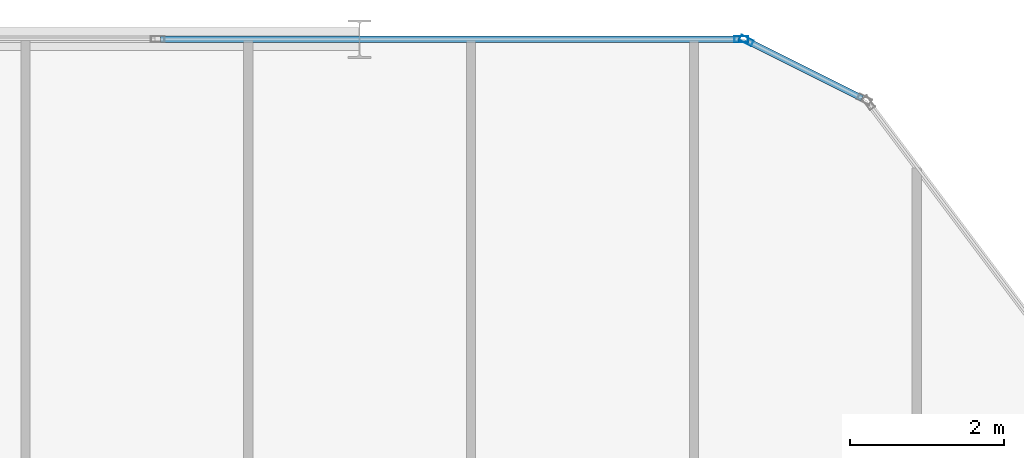
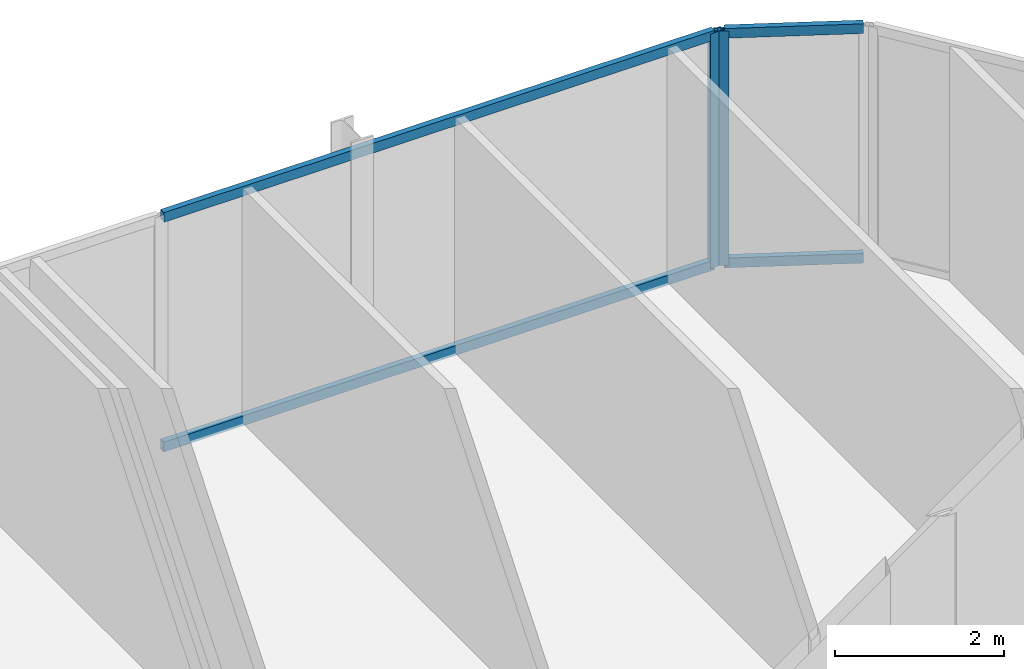
# One storey, part 21 of 31: 6 members, 2 elements without a shape of their own.
"""IFC4 building model written with IfcOpenShell, lengths in metres."""

from ifc_helpers import new_model, si_unit, direction, frame, origin, origin_2d, place, context, subcontext, project, spatial, hollow_rectangle, extrude, material, layer, layer_set, material_profile, profile_set, type_object, element, aggregate, save


model = new_model("IFC4")

# Units and contexts
model_context = context("Model", 3, precision=1e-05, world=origin(), true_north=direction((0.0, 1.0)))
body_context = subcontext(model_context, "Body", "Model", "MODEL_VIEW")
ifc_project = project(units=[si_unit("LENGTHUNIT", "METRE"), si_unit("AREAUNIT", "SQUARE_METRE"), si_unit("VOLUMEUNIT", "CUBIC_METRE"), si_unit("PLANEANGLEUNIT", "RADIAN"), si_unit("MASSUNIT", "GRAM", prefix="KILO")], contexts=[model_context])

# Site, building, storey
site_placement = place(None, origin())
site = spatial("IfcSite", under=ifc_project, at=site_placement, CompositionType="ELEMENT")
building_placement = place(site_placement, origin())
building = spatial("IfcBuilding", under=site, at=building_placement, Name="Keshet Zoharim Tower", CompositionType="ELEMENT")
storey_placement = place(building_placement, frame((0.0, 0.0, 129.800048828125)))
storey = spatial("IfcBuildingStorey", under=building, at=storey_placement, Name="L31", CompositionType="ELEMENT", Elevation=129.800048828125)

# Curtain wall, member
ifc_material = material(Name="Aluminium 6063-T6", Category="aluminium")
ifc_layer = layer(ifc_material, 0.159912109375)
ifc_layer_set = layer_set([ifc_layer], Name="Aluminium 6063-T6")
curtain_wall_type = type_object("IfcCurtainWallType", Name="CW-SYS-03", PredefinedType="NOTDEFINED", material=ifc_layer_set)
curtain_wall_1_placement = place(storey_placement, origin())
curtain_wall_1 = element("IfcCurtainWall", 1, at=curtain_wall_1_placement, inside=storey, type_object=curtain_wall_type, Name="L31 Unitised Curtain Wall 13 Part 5", PredefinedType="NOTDEFINED")
ifc_material_profile_1 = material_profile(ifc_material, hollow_rectangle(XDim=0.080078125, YDim=0.179931640625, WallThickness=0.00439453125, at=origin_2d()), Name="MUL-80x180")
ifc_profile_set_1 = profile_set([ifc_material_profile_1], Name="Aluminium 6063-T6")
member_type_1 = type_object("IfcMemberType", Name="CWM-M18", PredefinedType="MULLION", material=ifc_profile_set_1)
member_1_placement = place(storey_placement, frame((49.965087890625, 53.89990234375, 0.0), z_axis=(0.0, 0.0, 1.0), x_axis=(0.0, 1.0, 0.0)))
member_1 = element("IfcMember", 2, at=member_1_placement, type_object=member_type_1, Name="CW-03 mullion 3", PredefinedType="MULLION", context=body_context, shape_type="SweptSolid", body=[
    extrude(hollow_rectangle(XDim=0.080078125, YDim=0.179931640625, WallThickness=0.00439453125, at=origin_2d()), origin(), (0.0, 0.0, 1.0), 3.385009765625),
])

curtain_wall_2_placement = place(storey_placement, origin())
curtain_wall_2 = element("IfcCurtainWall", 3, at=curtain_wall_2_placement, inside=storey, type_object=curtain_wall_type, Name="L31 Unitised Curtain Wall 14", PredefinedType="NOTDEFINED")
member_2_placement = place(storey_placement, frame((50.03125, 53.88427734375, 0.0), z_axis=(0.0, 0.0, 1.0), x_axis=(0.447213595499, 0.894427191001, 0.0)))
member_2 = element("IfcMember", 4, at=member_2_placement, type_object=member_type_1, Name="CW-03 mullion 1", PredefinedType="MULLION", context=body_context, shape_type="SweptSolid", body=[
    extrude(hollow_rectangle(XDim=0.080078125, YDim=0.179931640625, WallThickness=0.00439453125, at=origin_2d()), origin(), (0.0, 0.0, 1.0), 3.385009765625),
])

# Member
ifc_material_profile_2 = material_profile(ifc_material, hollow_rectangle(XDim=0.080078125, YDim=0.139892578125, WallThickness=0.00390625, at=origin_2d()), Name="TRN-80x140")
ifc_profile_set_2 = profile_set([ifc_material_profile_2], Name="Aluminium 6063-T6")
member_type_2 = type_object("IfcMemberType", Name="CWT-T14", PredefinedType="USERDEFINED", material=ifc_profile_set_2)
member_3_placement = place(storey_placement, frame((42.408935546875, 53.89990234375, 0.034912109375), z_axis=(1.0, 0.0, 0.0), x_axis=(0.0, 1.0, 0.0)))
member_3 = element("IfcMember", 5, at=member_3_placement, type_object=member_type_2, Name="CW-03 transom 2.1", ObjectType="TRANSOM", PredefinedType="USERDEFINED", context=body_context, shape_type="SweptSolid", body=[
    extrude(hollow_rectangle(XDim=0.080078125, YDim=0.139892578125, WallThickness=0.00390625, at=origin_2d()), origin(), (0.0, 0.0, 1.0), 7.52099609375),
])

member_4_placement = place(storey_placement, frame((42.408935546875, 53.89990234375, 3.349853515625), z_axis=(1.0, 0.0, 0.0), x_axis=(0.0, 1.0, 0.0)))
member_4 = element("IfcMember", 6, at=member_4_placement, type_object=member_type_2, Name="CW-03 transom 2.2", ObjectType="TRANSOM", PredefinedType="USERDEFINED", context=body_context, shape_type="SweptSolid", body=[
    extrude(hollow_rectangle(XDim=0.080078125, YDim=0.139892578125, WallThickness=0.00390625, at=origin_2d()), origin(), (0.0, 0.0, 1.0), 7.52099609375),
])

aggregate(curtain_wall_1, [member_1, member_3, member_4])

member_5_placement = place(storey_placement, frame((50.0625, 53.86865234375, 0.034912109375), z_axis=(0.894456801911, -0.447154368775, 0.0), x_axis=(0.447154368775, 0.894456801911, 0.0)))
member_5 = element("IfcMember", 7, at=member_5_placement, type_object=member_type_2, Name="CW-03 transom 1.1", ObjectType="TRANSOM", PredefinedType="USERDEFINED", context=body_context, shape_type="SweptSolid", body=[
    extrude(hollow_rectangle(XDim=0.080078125, YDim=0.139892578125, WallThickness=0.00390625, at=origin_2d()), origin(), (0.0, 0.0, 1.0), 1.64892578125),
])

member_6_placement = place(storey_placement, frame((50.0625, 53.86865234375, 3.349853515625), z_axis=(0.894456801911, -0.447154368775, 0.0), x_axis=(0.447154368775, 0.894456801911, 0.0)))
member_6 = element("IfcMember", 8, at=member_6_placement, type_object=member_type_2, Name="CW-03 transom 1.2", ObjectType="TRANSOM", PredefinedType="USERDEFINED", context=body_context, shape_type="SweptSolid", body=[
    extrude(hollow_rectangle(XDim=0.080078125, YDim=0.139892578125, WallThickness=0.00390625, at=origin_2d()), origin(), (0.0, 0.0, 1.0), 1.64892578125),
])

aggregate(curtain_wall_2, [member_2, member_5, member_6])

save(model, "model.ifc")
